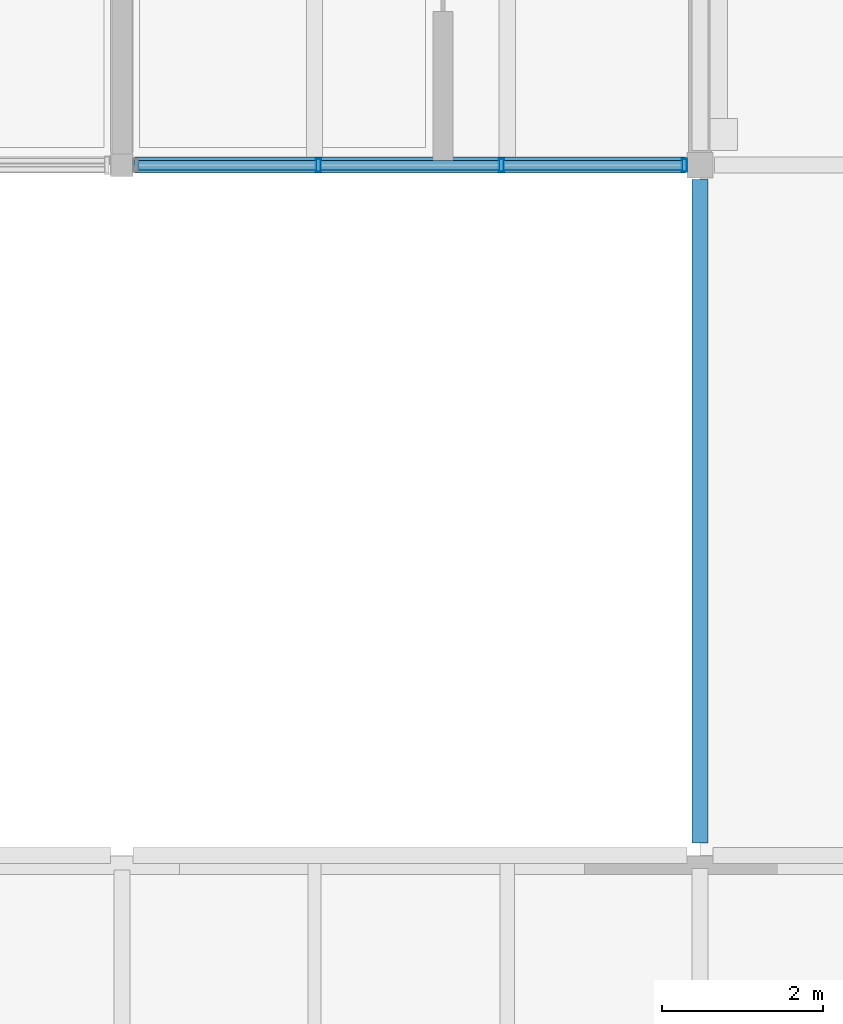
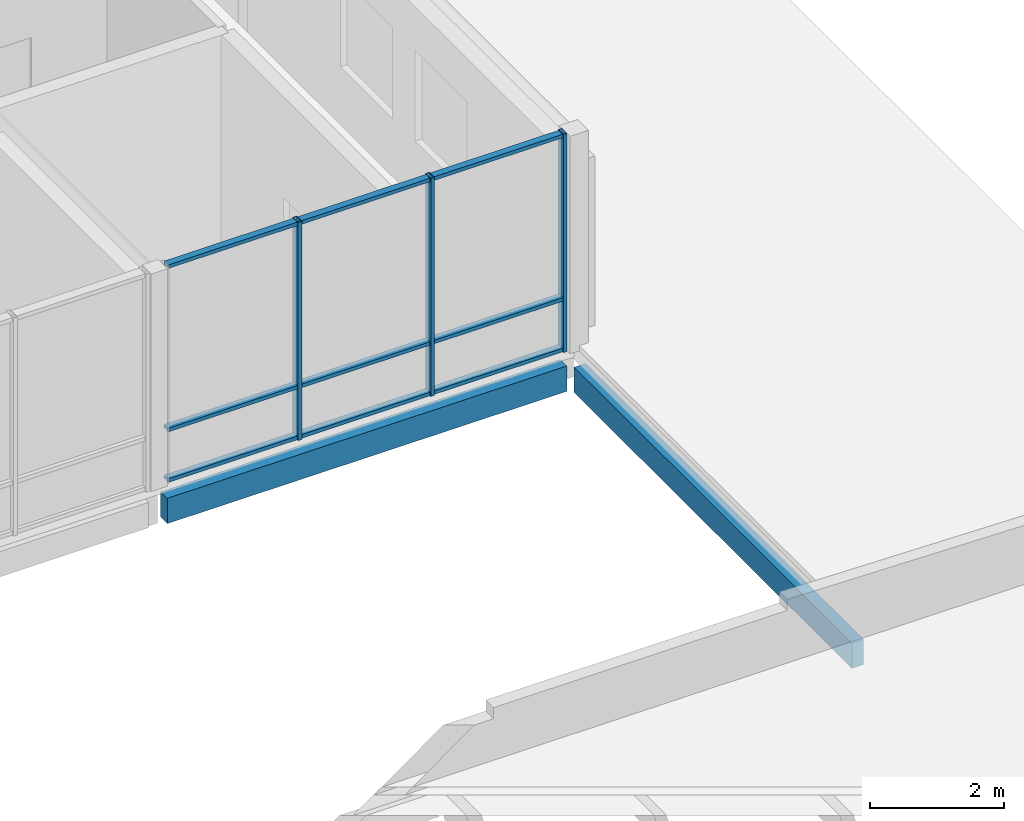
# One storey, part 5 of 57: 12 members, 2 beams, 1 element without a shape of its own.
"""IFC4 building model written with IfcOpenShell, lengths in metres."""

from ifc_helpers import new_model, si_unit, direction, frame, origin, origin_2d, place, context, subcontext, project, spatial, rectangle, hollow_rectangle, extrude, material, material_profile, profile_set, type_object, element, aggregate, save


model = new_model("IFC4")

# Units and contexts
model_context = context("Model", 3, precision=1e-05, world=origin(), true_north=direction((0.0, 1.0)))
body_context = subcontext(model_context, "Body", "Model", "MODEL_VIEW")
ifc_project = project(units=[si_unit("LENGTHUNIT", "METRE"), si_unit("AREAUNIT", "SQUARE_METRE"), si_unit("VOLUMEUNIT", "CUBIC_METRE"), si_unit("PLANEANGLEUNIT", "RADIAN"), si_unit("MASSUNIT", "GRAM", prefix="KILO")], contexts=[model_context])

# Site, building, storey
site_placement = place(None, origin())
site = spatial("IfcSite", under=ifc_project, at=site_placement, CompositionType="ELEMENT")
building_placement = place(site_placement, origin())
building = spatial("IfcBuilding", under=site, at=building_placement, Name="Hawrajan Terrace Health Centre", CompositionType="ELEMENT")
storey_placement = place(building_placement, frame((0.0, 0.0, 13.199951171875)))
storey = spatial("IfcBuildingStorey", under=building, at=storey_placement, Name="L03", CompositionType="ELEMENT", Elevation=13.199951171875)

# Curtain wall, members
ifc_material_1 = material(Name="Anodized bronze aluminium and low-E solar glazing", Category="aluminium")
curtain_wall_type = type_object("IfcCurtainWallType", Name="CW_Garden_SeriesF2", PredefinedType="USERDEFINED", material=ifc_material_1)
curtain_wall_placement = place(storey_placement, origin())
curtain_wall = element("IfcCurtainWall", 1, at=curtain_wall_placement, inside=storey, type_object=curtain_wall_type, Name="Curtain wall CW-L03-159", ObjectType="UNITISED CURTAIN WALL", PredefinedType="USERDEFINED")
ifc_material_2 = material(Name="Anodized bronze aluminium 6063-T6", Category="aluminium")
ifc_material_profile_1 = material_profile(ifc_material_2, hollow_rectangle(XDim=0.06494140625, YDim=0.159912109375, WallThickness=0.00390625, at=origin_2d()), Name="CW MUL 65x160")
ifc_profile_set_1 = profile_set([ifc_material_profile_1], Name="Anodized bronze aluminium 6063-T6")
member_type_1 = type_object("IfcMemberType", Name="CWMullion_65x160", PredefinedType="MULLION", material=ifc_profile_set_1)
member_1_placement = place(storey_placement, frame((14.250732421875, 27.199951171875, -0.0048828125), z_axis=(0.0, 0.0, 1.0), x_axis=(1.0, 0.0, 0.0)))
member_1 = element("IfcMember", 2, at=member_1_placement, type_object=member_type_1, Name="Mullion CW-L03-159-M2", PredefinedType="MULLION", context=body_context, shape_type="SweptSolid", body=[
    extrude(hollow_rectangle(XDim=0.06494140625, YDim=0.159912109375, WallThickness=0.00390625, at=origin_2d()), origin(), (0.0, 0.0, 1.0), 3.9599609375),
])
member_2_placement = place(storey_placement, frame((16.529296875, 27.199951171875, -0.0048828125), z_axis=(0.0, 0.0, 1.0), x_axis=(1.0, 0.0, 0.0)))
member_2 = element("IfcMember", 3, at=member_2_placement, type_object=member_type_1, Name="Mullion CW-L03-159-M3", PredefinedType="MULLION", context=body_context, shape_type="SweptSolid", body=[
    extrude(hollow_rectangle(XDim=0.06494140625, YDim=0.159912109375, WallThickness=0.00390625, at=origin_2d()), origin(), (0.0, 0.0, 1.0), 3.9599609375),
])
member_3_placement = place(storey_placement, frame((18.8076171875, 27.199951171875, -0.0048828125), z_axis=(0.0, 0.0, 1.0), x_axis=(1.0, 0.0, 0.0)))
member_3 = element("IfcMember", 4, at=member_3_placement, type_object=member_type_1, Name="Mullion CW-L03-159-M4", PredefinedType="MULLION", context=body_context, shape_type="SweptSolid", body=[
    extrude(hollow_rectangle(XDim=0.06494140625, YDim=0.159912109375, WallThickness=0.00390625, at=origin_2d()), origin(), (0.0, 0.0, 1.0), 3.9599609375),
])
ifc_material_profile_2 = material_profile(ifc_material_2, hollow_rectangle(XDim=0.06494140625, YDim=0.1201171875, WallThickness=0.00341796875, at=origin_2d()), Name="CW TRN 65x120")
ifc_profile_set_2 = profile_set([ifc_material_profile_2], Name="Anodized bronze aluminium 6063-T6")
member_type_2 = type_object("IfcMemberType", Name="CWTransom_65x120", PredefinedType="USERDEFINED", material=ifc_profile_set_2)
member_4_placement = place(storey_placement, frame((11.9990234375, 27.199951171875, 0.032470703125), z_axis=(1.0, 0.0, 0.0), x_axis=(0.0, 0.0, 1.0)))
member_4 = element("IfcMember", 5, at=member_4_placement, type_object=member_type_2, Name="Transom CW-L03-159-T1-1", ObjectType="TRANSOM", PredefinedType="USERDEFINED", context=body_context, shape_type="SweptSolid", body=[
    extrude(hollow_rectangle(XDim=0.06494140625, YDim=0.1201171875, WallThickness=0.00341796875, at=origin_2d()), origin(), (0.0, 0.0, 1.0), 2.225341796875),
])
member_5_placement = place(storey_placement, frame((11.9990234375, 27.199951171875, 0.949951171875), z_axis=(1.0, 0.0, 0.0), x_axis=(0.0, 0.0, 1.0)))
member_5 = element("IfcMember", 6, at=member_5_placement, type_object=member_type_2, Name="Transom CW-L03-159-T1-2", ObjectType="TRANSOM", PredefinedType="USERDEFINED", context=body_context, shape_type="SweptSolid", body=[
    extrude(hollow_rectangle(XDim=0.06494140625, YDim=0.1201171875, WallThickness=0.00341796875, at=origin_2d()), origin(), (0.0, 0.0, 1.0), 2.225341796875),
])
member_6_placement = place(storey_placement, frame((11.9990234375, 27.199951171875, 3.91748046875), z_axis=(1.0, 0.0, 0.0), x_axis=(0.0, 0.0, 1.0)))
member_6 = element("IfcMember", 7, at=member_6_placement, type_object=member_type_2, Name="Transom CW-L03-159-T1-3", ObjectType="TRANSOM", PredefinedType="USERDEFINED", context=body_context, shape_type="SweptSolid", body=[
    extrude(hollow_rectangle(XDim=0.06494140625, YDim=0.1201171875, WallThickness=0.00341796875, at=origin_2d()), origin(), (0.0, 0.0, 1.0), 2.225341796875),
])
member_7_placement = place(storey_placement, frame((14.27734375, 27.199951171875, 0.032470703125), z_axis=(1.0, 0.0, 0.0), x_axis=(0.0, 0.0, 1.0)))
member_7 = element("IfcMember", 8, at=member_7_placement, type_object=member_type_2, Name="Transom CW-L03-159-T2-1", ObjectType="TRANSOM", PredefinedType="USERDEFINED", context=body_context, shape_type="SweptSolid", body=[
    extrude(hollow_rectangle(XDim=0.06494140625, YDim=0.1201171875, WallThickness=0.00341796875, at=origin_2d()), origin(), (0.0, 0.0, 1.0), 2.225341796875),
])
member_8_placement = place(storey_placement, frame((14.27734375, 27.199951171875, 0.949951171875), z_axis=(1.0, 0.0, 0.0), x_axis=(0.0, 0.0, 1.0)))
member_8 = element("IfcMember", 9, at=member_8_placement, type_object=member_type_2, Name="Transom CW-L03-159-T2-2", ObjectType="TRANSOM", PredefinedType="USERDEFINED", context=body_context, shape_type="SweptSolid", body=[
    extrude(hollow_rectangle(XDim=0.06494140625, YDim=0.1201171875, WallThickness=0.00341796875, at=origin_2d()), origin(), (0.0, 0.0, 1.0), 2.225341796875),
])
member_9_placement = place(storey_placement, frame((14.27734375, 27.199951171875, 3.91748046875), z_axis=(1.0, 0.0, 0.0), x_axis=(0.0, 0.0, 1.0)))
member_9 = element("IfcMember", 10, at=member_9_placement, type_object=member_type_2, Name="Transom CW-L03-159-T2-3", ObjectType="TRANSOM", PredefinedType="USERDEFINED", context=body_context, shape_type="SweptSolid", body=[
    extrude(hollow_rectangle(XDim=0.06494140625, YDim=0.1201171875, WallThickness=0.00341796875, at=origin_2d()), origin(), (0.0, 0.0, 1.0), 2.225341796875),
])
member_10_placement = place(storey_placement, frame((16.5556640625, 27.199951171875, 0.032470703125), z_axis=(1.0, 0.0, 0.0), x_axis=(0.0, 0.0, 1.0)))
member_10 = element("IfcMember", 11, at=member_10_placement, type_object=member_type_2, Name="Transom CW-L03-159-T3-1", ObjectType="TRANSOM", PredefinedType="USERDEFINED", context=body_context, shape_type="SweptSolid", body=[
    extrude(hollow_rectangle(XDim=0.06494140625, YDim=0.1201171875, WallThickness=0.00341796875, at=origin_2d()), origin(), (0.0, 0.0, 1.0), 2.225341796875),
])
member_11_placement = place(storey_placement, frame((16.5556640625, 27.199951171875, 0.949951171875), z_axis=(1.0, 0.0, 0.0), x_axis=(0.0, 0.0, 1.0)))
member_11 = element("IfcMember", 12, at=member_11_placement, type_object=member_type_2, Name="Transom CW-L03-159-T3-2", ObjectType="TRANSOM", PredefinedType="USERDEFINED", context=body_context, shape_type="SweptSolid", body=[
    extrude(hollow_rectangle(XDim=0.06494140625, YDim=0.1201171875, WallThickness=0.00341796875, at=origin_2d()), origin(), (0.0, 0.0, 1.0), 2.225341796875),
])
member_12_placement = place(storey_placement, frame((16.5556640625, 27.199951171875, 3.91748046875), z_axis=(1.0, 0.0, 0.0), x_axis=(0.0, 0.0, 1.0)))
member_12 = element("IfcMember", 13, at=member_12_placement, type_object=member_type_2, Name="Transom CW-L03-159-T3-3", ObjectType="TRANSOM", PredefinedType="USERDEFINED", context=body_context, shape_type="SweptSolid", body=[
    extrude(hollow_rectangle(XDim=0.06494140625, YDim=0.1201171875, WallThickness=0.00341796875, at=origin_2d()), origin(), (0.0, 0.0, 1.0), 2.225341796875),
])
aggregate(curtain_wall, [member_1, member_2, member_3, member_4, member_5, member_6, member_7, member_8, member_9, member_10, member_11, member_12])

# Beams
ifc_material_3 = material(Name="Glulam GL32h", Category="wood")
ifc_material_profile_3 = material_profile(ifc_material_3, rectangle(XDim=0.199951171875, YDim=0.4599609375, at=origin_2d()), Name="GL SP 200x460")
ifc_profile_set_3 = profile_set([ifc_material_profile_3], Name="Glulam GL32h")
beam_type = type_object("IfcBeamType", Name="GlulamSpandrel_200x460", PredefinedType="SPANDREL", material=ifc_profile_set_3)
beam_1_placement = place(storey_placement, frame((11.9599609375, 27.199951171875, -0.47998046875), z_axis=(1.0, 0.0, 0.0), x_axis=(0.0, 1.0, 0.0)))
element("IfcBeam", 14, at=beam_1_placement, inside=storey, type_object=beam_type, Name="Beam BM-X-L03-W-02-Y4", PredefinedType="SPANDREL", context=body_context, shape_type="SweptSolid", body=[
    extrude(rectangle(XDim=0.199951171875, YDim=0.4599609375, at=origin_2d()), origin(), (0.0, 0.0, 1.0), 6.860107421875),
])
beam_2_placement = place(storey_placement, frame((19.0, 18.760009765625, -0.47998046875), z_axis=(0.0, 1.0, 0.0), x_axis=(-1.0, 0.0, 0.0)))
element("IfcBeam", 15, at=beam_2_placement, inside=storey, type_object=beam_type, Name="Beam BM-Y-L03-W-X03-3", PredefinedType="SPANDREL", context=body_context, shape_type="SweptSolid", body=[
    extrude(rectangle(XDim=0.199951171875, YDim=0.4599609375, at=origin_2d()), origin(), (0.0, 0.0, 1.0), 8.260009765625),
])

save(model, "model.ifc")
